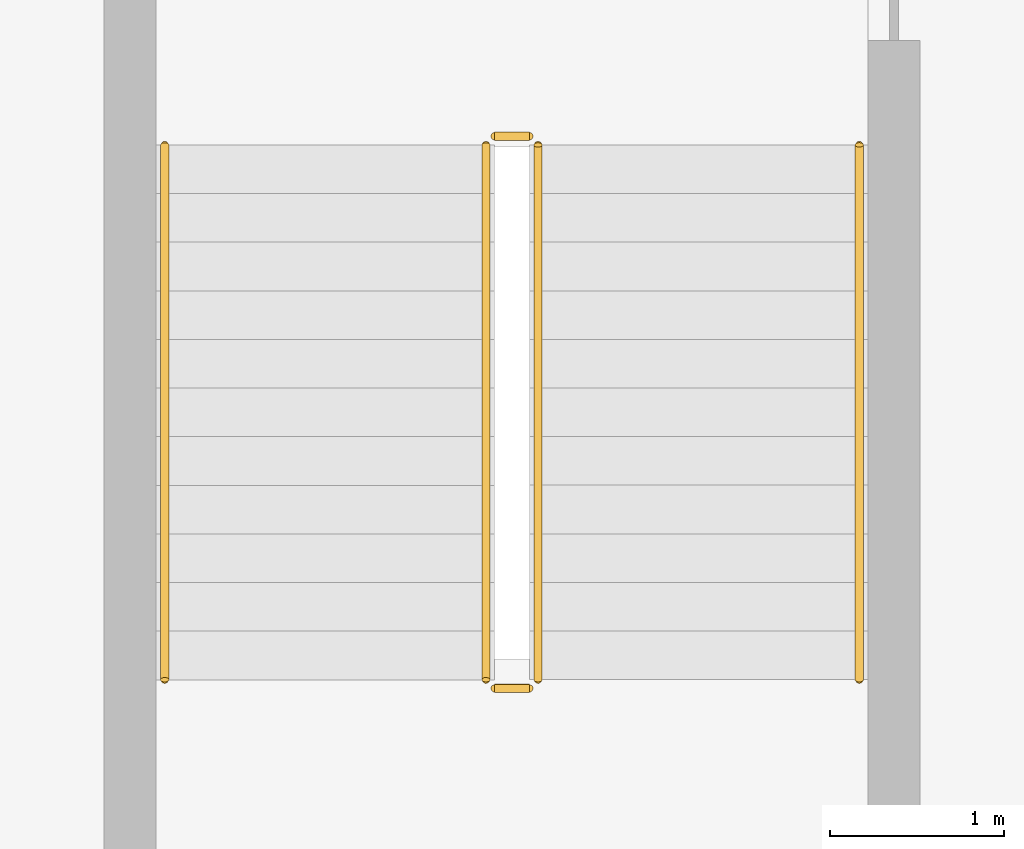
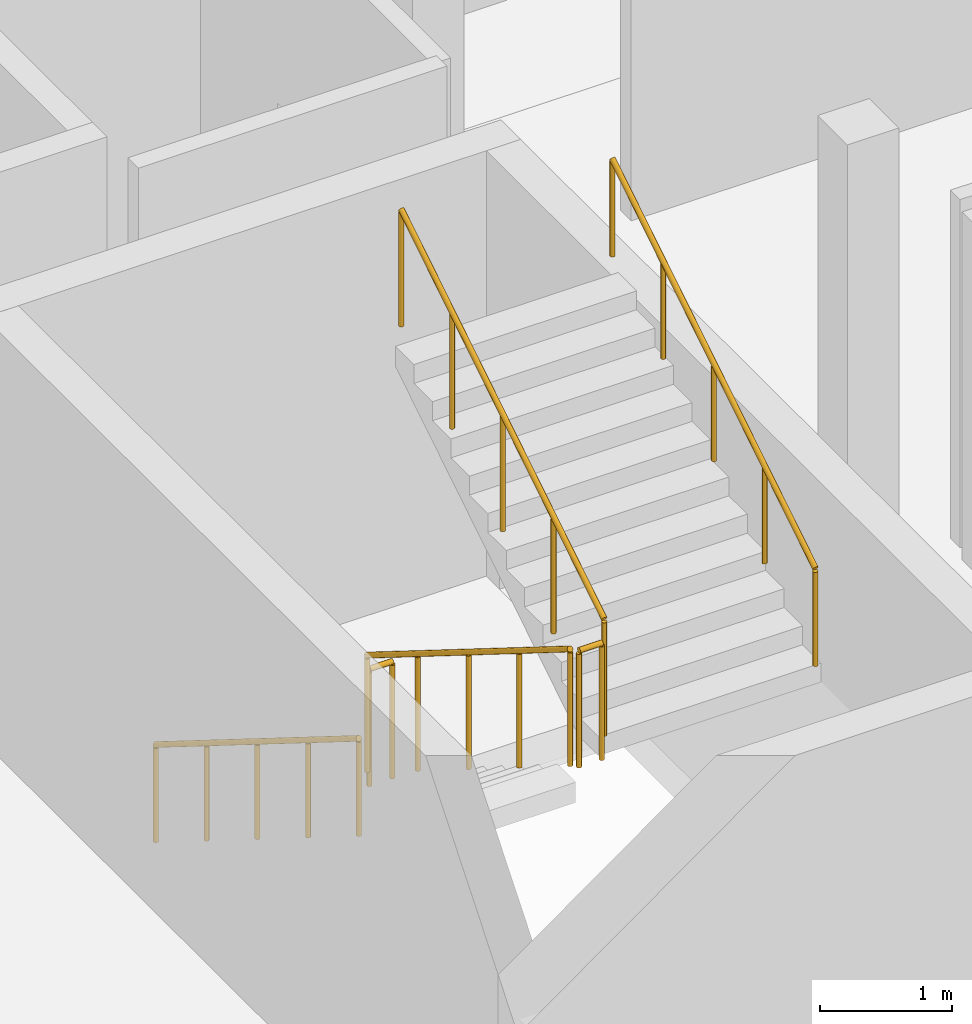
# One storey, part 178 of 182: 6 railings.
"""IFC4 building model written with IfcOpenShell, lengths in metres."""

from ifc_helpers import new_model, si_unit, direction, frame, origin, origin_2d, place, context, subcontext, project, spatial, circle, extrude, material, layer, layer_set, type_object, element, save


model = new_model("IFC4")

# Units and contexts
model_context = context("Model", 3, precision=1e-05, world=origin(), true_north=direction((0.0, 1.0)))
body_context = subcontext(model_context, "Body", "Model", "MODEL_VIEW")
ifc_project = project(units=[si_unit("LENGTHUNIT", "METRE"), si_unit("AREAUNIT", "SQUARE_METRE"), si_unit("VOLUMEUNIT", "CUBIC_METRE"), si_unit("PLANEANGLEUNIT", "RADIAN"), si_unit("MASSUNIT", "GRAM", prefix="KILO")], contexts=[model_context])

# Site, building, storey
site_placement = place(None, origin())
site = spatial("IfcSite", under=ifc_project, at=site_placement, CompositionType="ELEMENT")
building_placement = place(site_placement, origin())
building = spatial("IfcBuilding", under=site, at=building_placement, Name="Chiffa Square Polytechnic", CompositionType="ELEMENT")
storey_placement = place(building_placement, frame((0.0, 0.0, 9.60009765625)))
storey = spatial("IfcBuildingStorey", under=building, at=storey_placement, Name="L02", CompositionType="ELEMENT", Elevation=9.60009765625)

# Railings
ifc_material = material(Name="Steel S355", Category="steel")
ifc_layer_1 = layer(ifc_material, 0.050048828125, Name="Steel S355")
ifc_layer_set_1 = layer_set([ifc_layer_1], Name="Steel S355")
railing_type_1 = type_object("IfcRailingType", Name="RL-STAIR-GUARD", PredefinedType="GUARDRAIL", material=ifc_layer_set_1)
railing_1_placement = place(storey_placement, frame((19.35009765625, 50.39990234375, 0.1748046875)))
element("IfcRailing", 1, at=railing_1_placement, inside=storey, type_object=railing_type_1, Name="L02 ST-V6A stair guard 1", PredefinedType="GUARDRAIL", context=body_context, shape_type="SweptSolid", body=[
    extrude(circle(Radius=0.02392578125, at=origin_2d()), frame((0.0, 0.0, 1.076171875), z_axis=(0.0, -0.847979421464, 0.530029150871), x_axis=(1.0, 0.0, 0.0)), (0.0, 0.0, 1.0), 3.632080078125),
    extrude(circle(Radius=0.02099609375, at=origin_2d()), origin(), (0.0, 0.0, 1.0), 1.052001953125),
    extrude(circle(Radius=0.02099609375, at=origin_2d()), frame((0.0, -0.77001953125, 0.481201171875)), (0.0, 0.0, 1.0), 1.052001953125),
    extrude(circle(Radius=0.02099609375, at=origin_2d()), frame((0.0, -1.5400390625, 0.96240234375)), (0.0, 0.0, 1.0), 1.052001953125),
    extrude(circle(Radius=0.02099609375, at=origin_2d()), frame((0.0, -2.309814453125, 1.44384765625)), (0.0, 0.0, 1.0), 1.052001953125),
    extrude(circle(Radius=0.02099609375, at=origin_2d()), frame((0.0, -3.079833984375, 1.925048828125)), (0.0, 0.0, 1.0), 1.052001953125),
])
railing_2_placement = place(storey_placement, frame((19.39990234375, 47.27001953125, 2.099853515625)))
element("IfcRailing", 2, at=railing_2_placement, inside=storey, type_object=railing_type_1, Name="L02 ST-V6A stair guard 2", PredefinedType="GUARDRAIL", context=body_context, shape_type="SweptSolid", body=[
    extrude(circle(Radius=0.02392578125, at=origin_2d()), frame((0.0, 0.0, 1.076171875), z_axis=(1.0, 0.0, 0.0), x_axis=(0.0, 1.0, 0.0)), (0.0, 0.0, 1.0), 0.2001953125),
    extrude(circle(Radius=0.02099609375, at=origin_2d()), origin(), (0.0, 0.0, 1.0), 1.052001953125),
    extrude(circle(Radius=0.02099609375, at=origin_2d()), frame((0.2001953125, 0.0, 0.0)), (0.0, 0.0, 1.0), 1.052001953125),
])
railing_3_placement = place(storey_placement, frame((19.64990234375, 47.320068359375, 2.27490234375)))
element("IfcRailing", 3, at=railing_3_placement, inside=storey, type_object=railing_type_1, Name="L02 ST-V6A stair guard 3", PredefinedType="GUARDRAIL", context=body_context, shape_type="SweptSolid", body=[
    extrude(circle(Radius=0.02392578125, at=origin_2d()), frame((0.0, 0.0, 1.076171875), z_axis=(0.0, 0.847979421464, 0.530029150871), x_axis=(-1.0, 0.0, 0.0)), (0.0, 0.0, 1.0), 3.632080078125),
    extrude(circle(Radius=0.02099609375, at=origin_2d()), origin(), (0.0, 0.0, 1.0), 1.052001953125),
    extrude(circle(Radius=0.02099609375, at=origin_2d()), frame((0.0, 0.77001953125, 0.481201171875)), (0.0, 0.0, 1.0), 1.052001953125),
    extrude(circle(Radius=0.02099609375, at=origin_2d()), frame((0.0, 1.5400390625, 0.96240234375)), (0.0, 0.0, 1.0), 1.052001953125),
    extrude(circle(Radius=0.02099609375, at=origin_2d()), frame((0.0, 2.309814453125, 1.44384765625)), (0.0, 0.0, 1.0), 1.052001953125),
    extrude(circle(Radius=0.02099609375, at=origin_2d()), frame((0.0, 3.079833984375, 1.925048828125)), (0.0, 0.0, 1.0), 1.052001953125),
])
railing_4_placement = place(storey_placement, frame((19.39990234375, 50.449951171875, 0.0)))
element("IfcRailing", 4, at=railing_4_placement, inside=storey, type_object=railing_type_1, Name="L02 ST-V6A stair guard 4", PredefinedType="GUARDRAIL", context=body_context, shape_type="SweptSolid", body=[
    extrude(circle(Radius=0.02392578125, at=origin_2d()), frame((0.0, 0.0, 1.076171875), z_axis=(1.0, 0.0, 0.0), x_axis=(0.0, 1.0, 0.0)), (0.0, 0.0, 1.0), 0.2001953125),
    extrude(circle(Radius=0.02099609375, at=origin_2d()), origin(), (0.0, 0.0, 1.0), 1.052001953125),
    extrude(circle(Radius=0.02099609375, at=origin_2d()), frame((0.2001953125, 0.0, 0.0)), (0.0, 0.0, 1.0), 1.052001953125),
])
ifc_layer_2 = layer(ifc_material, 0.044921875, Name="Steel S355")
ifc_layer_set_2 = layer_set([ifc_layer_2], Name="Steel S355")
railing_type_2 = type_object("IfcRailingType", Name="RL-STAIR-HAND", PredefinedType="HANDRAIL", material=ifc_layer_set_2)
railing_5_placement = place(storey_placement, frame((17.5, 50.39990234375, 0.1748046875)))
element("IfcRailing", 5, at=railing_5_placement, inside=storey, type_object=railing_type_2, Name="L02 ST-V6A stair handrail 1", PredefinedType="HANDRAIL", context=body_context, shape_type="SweptSolid", body=[
    extrude(circle(Radius=0.02392578125, at=origin_2d()), frame((0.0, 0.0, 0.89599609375), z_axis=(0.0, -0.847979421464, 0.530029150871), x_axis=(1.0, 0.0, 0.0)), (0.0, 0.0, 1.0), 3.632080078125),
    extrude(circle(Radius=0.02099609375, at=origin_2d()), origin(), (0.0, 0.0, 1.0), 0.871826171875),
    extrude(circle(Radius=0.02099609375, at=origin_2d()), frame((0.0, -0.77001953125, 0.481201171875)), (0.0, 0.0, 1.0), 0.871826171875),
    extrude(circle(Radius=0.02099609375, at=origin_2d()), frame((0.0, -1.5400390625, 0.96240234375)), (0.0, 0.0, 1.0), 0.871826171875),
    extrude(circle(Radius=0.02099609375, at=origin_2d()), frame((0.0, -2.309814453125, 1.44384765625)), (0.0, 0.0, 1.0), 0.871826171875),
    extrude(circle(Radius=0.02099609375, at=origin_2d()), frame((0.0, -3.079833984375, 1.925048828125)), (0.0, 0.0, 1.0), 0.871826171875),
])
railing_6_placement = place(storey_placement, frame((21.5, 47.320068359375, 2.27490234375)))
element("IfcRailing", 6, at=railing_6_placement, inside=storey, type_object=railing_type_2, Name="L02 ST-V6A stair handrail 2", PredefinedType="HANDRAIL", context=body_context, shape_type="SweptSolid", body=[
    extrude(circle(Radius=0.02392578125, at=origin_2d()), frame((0.0, 0.0, 0.89599609375), z_axis=(0.0, 0.847979421464, 0.530029150871), x_axis=(-1.0, 0.0, 0.0)), (0.0, 0.0, 1.0), 3.632080078125),
    extrude(circle(Radius=0.02099609375, at=origin_2d()), origin(), (0.0, 0.0, 1.0), 0.871826171875),
    extrude(circle(Radius=0.02099609375, at=origin_2d()), frame((0.0, 0.77001953125, 0.481201171875)), (0.0, 0.0, 1.0), 0.871826171875),
    extrude(circle(Radius=0.02099609375, at=origin_2d()), frame((0.0, 1.5400390625, 0.96240234375)), (0.0, 0.0, 1.0), 0.871826171875),
    extrude(circle(Radius=0.02099609375, at=origin_2d()), frame((0.0, 2.309814453125, 1.44384765625)), (0.0, 0.0, 1.0), 0.871826171875),
    extrude(circle(Radius=0.02099609375, at=origin_2d()), frame((0.0, 3.079833984375, 1.925048828125)), (0.0, 0.0, 1.0), 0.871826171875),
])

save(model, "model.ifc")
